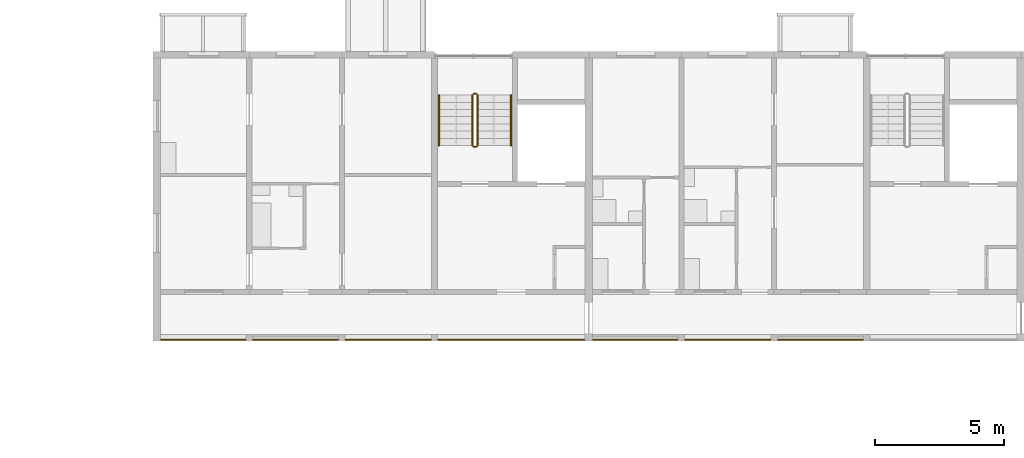
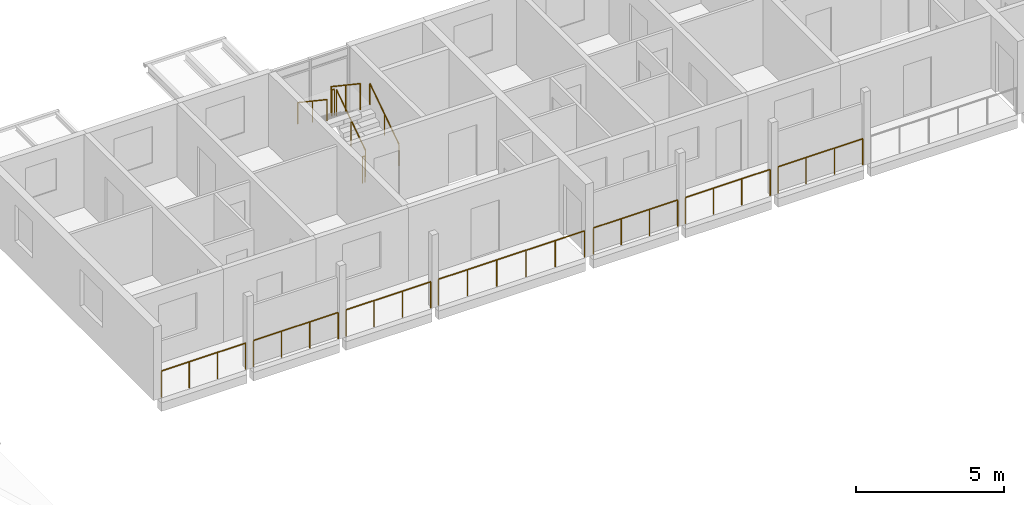
# One storey, part 90 of 99: 13 railings.
"""IFC4 building model written with IfcOpenShell, lengths in metres."""

import ifcopenshell
import ifcopenshell.guid

model = None  # the IFC model being written
_history = None  # IfcOwnerHistory: only IFC2X3 demands one
_inside = {}  # id of a spatial element -> (the spatial element, [elements in it])
_under = {}  # id of a project, library or spatial element -> (it, [spatial elements below it])
_declared = {}  # id of a project -> (the project, [libraries it declares])
_typed = {}  # id of a type object -> (the type object, [elements of that type])
_made_of = {}  # id of a material, layer set ... -> (it, [elements and type objects made of it])


def new_model(schema):
    """Start an empty IFC model of exactly this schema.

    Asked for "IFC4X3", IfcOpenShell would pick the latest addendum, in which some entities
    have other attributes; the version numbers below select the first issue.
    IFC2X3 requires an IfcOwnerHistory on every rooted entity: one is made here for all.
    """
    global model, _history
    if schema == "IFC4X3":
        model = ifcopenshell.file(schema_version=(4, 3, 0, 0))
    else:
        model = ifcopenshell.file(schema=schema)
    _inside.clear()
    _under.clear()
    _declared.clear()
    _typed.clear()
    _made_of.clear()
    _history = None
    if model.schema == "IFC2X3":
        org = make("IfcOrganization", Name="unknown")
        user = make(
            "IfcPersonAndOrganization",
            ThePerson=make("IfcPerson", FamilyName="unknown"),
            TheOrganization=org,
        )
        app = make(
            "IfcApplication",
            ApplicationDeveloper=org,
            Version="unknown",
            ApplicationFullName="unknown",
            ApplicationIdentifier="unknown",
        )
        _history = make(
            "IfcOwnerHistory",
            OwningUser=user,
            OwningApplication=app,
            ChangeAction="ADDED",
            CreationDate=0,
        )
    return model


def make(cls, **values):
    """One entity of the class cls with the attributes given. An attribute that is None is left unset."""
    return model.create_entity(
        cls, **{name: value for name, value in values.items() if value is not None}
    )


def rooted(cls, **values):
    """An entity with a GlobalId (a new one), such as an element, a storey or a relation."""
    return make(cls, GlobalId=ifcopenshell.guid.new(), OwnerHistory=_history, **values)


def si_unit(unit_type, name, prefix=None):
    """IfcSIUnit, for example si_unit("LENGTHUNIT", "METRE", prefix="MILLI")."""
    return make("IfcSIUnit", UnitType=unit_type, Prefix=prefix, Name=name)


def assignment(units):
    """IfcUnitAssignment: the units of a project."""
    return None if units is None else make("IfcUnitAssignment", Units=units)


def point(xyz):
    """IfcCartesianPoint."""
    return None if xyz is None else make("IfcCartesianPoint", Coordinates=xyz)


def direction(xyz):
    """IfcDirection."""
    return None if xyz is None else make("IfcDirection", DirectionRatios=xyz)


def frame(location, z_axis=None, x_axis=None):
    """IfcAxis2Placement3D, a coordinate frame: its origin and axes. An axis left out is left unset."""
    return make(
        "IfcAxis2Placement3D",
        Location=point(location),
        Axis=direction(z_axis),
        RefDirection=direction(x_axis),
    )


def frame_2d(location, x_axis=None):
    """IfcAxis2Placement2D, a coordinate frame in the plane: its origin and x axis."""
    return make(
        "IfcAxis2Placement2D", Location=point(location), RefDirection=direction(x_axis)
    )


def origin():
    """The frame at (0, 0, 0) with its axes left unset."""
    return frame((0.0, 0.0, 0.0))


def origin_2d():
    """The frame at (0, 0) in the plane with its x axis left unset."""
    return frame_2d((0.0, 0.0))


def place(relative_to, where):
    """IfcLocalPlacement: puts the frame where relative to a parent placement (None: the world)."""
    return make(
        "IfcLocalPlacement", PlacementRelTo=relative_to, RelativePlacement=where
    )


def context(
    kind, dimensions, precision=None, world=None, true_north=None, identifier=None
):
    """IfcGeometricRepresentationContext, for example the 3D "Model" context."""
    return make(
        "IfcGeometricRepresentationContext",
        ContextIdentifier=identifier,
        ContextType=kind,
        CoordinateSpaceDimension=dimensions,
        Precision=precision,
        WorldCoordinateSystem=world,
        TrueNorth=true_north,
    )


def subcontext(parent, identifier, kind, view, scale=None):
    """IfcGeometricRepresentationSubContext, for example "Body" below "Model"."""
    return make(
        "IfcGeometricRepresentationSubContext",
        ContextIdentifier=identifier,
        ContextType=kind,
        ParentContext=parent,
        TargetScale=scale,
        TargetView=view,
    )


def project(units=None, contexts=None):
    """IfcProject with its units and contexts."""
    return rooted(
        "IfcProject",
        Name="project",
        RepresentationContexts=contexts,
        UnitsInContext=assignment(units),
    )


def spatial(cls, under=None, at=None, **own):
    """A site, building, storey or space (cls), placed at a placement, below another one or the project."""
    s = rooted(cls, ObjectPlacement=at, **own)
    if under is not None:
        _under.setdefault(under.id(), (under, []))[1].append(s)
    return s


def profile(cls, at=None, kind="AREA", **sizes):
    """A parametric profile (cls). Its sizes go by their IFC names, for example OverallWidth=200.0."""
    return make(cls, ProfileType=kind, Position=at, **sizes)


def circle(**sizes):
    """IfcCircleProfileDef."""
    return profile("IfcCircleProfileDef", **sizes)


def extrude(swept, where, along, depth):
    """IfcExtrudedAreaSolid: the profile swept, set in the frame where, extruded along a direction by depth."""
    return make(
        "IfcExtrudedAreaSolid",
        SweptArea=swept,
        Position=where,
        ExtrudedDirection=direction(along),
        Depth=depth,
    )


def shape(context_of_items, identifier, shape_type, items):
    """IfcShapeRepresentation: the items that make up one representation, for example the "Body"."""
    return make(
        "IfcShapeRepresentation",
        ContextOfItems=context_of_items,
        RepresentationIdentifier=identifier,
        RepresentationType=shape_type,
        Items=items,
    )


def material(Name=None, Category=None):
    """IfcMaterial."""
    return make("IfcMaterial", Name=Name, Category=Category)


def made_of(thing, what):
    """Note that an element or type object is made of a material, layer set ...; save() writes the relation."""
    if what is not None:
        _made_of.setdefault(what.id(), (what, []))[1].append(thing)
    return thing


def type_object(cls, material=None, **own):
    """A type object (cls), such as IfcWallType, which elements share."""
    return made_of(rooted(cls, **own), material)


def element(
    cls,
    number,
    at=None,
    inside=None,
    cuts=None,
    type_object=None,
    material=None,
    context=None,
    identifier="Body",
    shape_type=None,
    held_by="IfcProductDefinitionShape",
    body=None,
    shapes=None,
    **own,
):
    """One element of the class cls, such as IfcWall. Its Tag is "e" and its number.

    at: its placement. inside: the storey or other place that contains it. cuts: it is an
    opening in that element (IfcRelVoidsElement). A single representation is given by context,
    identifier, shape_type and body (its items); several are given by shapes. held_by: the class
    of the entity that holds the representations. save() writes the other relations.
    """
    e = rooted(cls, Tag="e%d" % number, ObjectPlacement=at, **own)
    if body is not None:
        shapes = [shape(context, identifier, shape_type, body)]
    if shapes is not None:
        e.Representation = make(held_by, Representations=shapes)
    if inside is not None:
        _inside.setdefault(inside.id(), (inside, []))[1].append(e)
    if cuts is not None:
        rooted(
            "IfcRelVoidsElement", RelatingBuildingElement=cuts, RelatedOpeningElement=e
        )
    if type_object is not None:
        _typed.setdefault(type_object.id(), (type_object, []))[1].append(e)
    return made_of(e, material)


def aggregate(whole, parts):
    """IfcRelAggregates: a whole, such as a stair, and the parts it consists of."""
    return rooted("IfcRelAggregates", RelatingObject=whole, RelatedObjects=parts)


def save(model, path):
    """Write the relations noted so far, then the file.

    IfcRelAggregates (storeys below a building ...), IfcRelContainedInSpatialStructure (elements
    in a storey), IfcRelDefinesByType, IfcRelAssociatesMaterial and IfcRelDeclares: one each for
    every whole, place, type object, material and project.
    """
    for whole, parts in _under.values():
        aggregate(whole, parts)
    for where, things in _inside.values():
        rooted(
            "IfcRelContainedInSpatialStructure",
            RelatedElements=things,
            RelatingStructure=where,
        )
    for kind, things in _typed.values():
        rooted("IfcRelDefinesByType", RelatedObjects=things, RelatingType=kind)
    for what, things in _made_of.values():
        rooted("IfcRelAssociatesMaterial", RelatedObjects=things, RelatingMaterial=what)
    for by, libraries in _declared.values():
        rooted("IfcRelDeclares", RelatingContext=by, RelatedDefinitions=libraries)
    model.write(path)


model = new_model("IFC4")

# Units and contexts
model_context = context("Model", 3, precision=1e-05, world=origin(), true_north=direction((0.0, 1.0)))
body_context = subcontext(model_context, "Body", "Model", "MODEL_VIEW")
ifc_project = project(units=[si_unit("LENGTHUNIT", "METRE"), si_unit("AREAUNIT", "SQUARE_METRE"), si_unit("VOLUMEUNIT", "CUBIC_METRE"), si_unit("PLANEANGLEUNIT", "RADIAN"), si_unit("MASSUNIT", "GRAM", prefix="KILO")], contexts=[model_context])

# Site, building, storey
site_placement = place(None, origin())
site = spatial("IfcSite", under=ifc_project, at=site_placement, CompositionType="ELEMENT")
building_placement = place(site_placement, origin())
building = spatial("IfcBuilding", under=site, at=building_placement, Name="Ridgestep Commons", CompositionType="ELEMENT")
storey_placement = place(building_placement, frame((0.0, 0.0, 15.0)))
storey = spatial("IfcBuildingStorey", under=building, at=storey_placement, Name="L05", CompositionType="ELEMENT", Elevation=15.0)

# Railings
ifc_material_1 = material(Name="Structural steel S355JR", Category="steel")
railing_type_1 = type_object("IfcRailingType", Name="Guard 1100", PredefinedType="GUARDRAIL", material=ifc_material_1)
railing_1_placement = place(storey_placement, frame((146.970947265625, 66.050048828125, 0.0)))
element("IfcRailing", 1, at=railing_1_placement, inside=storey, type_object=railing_type_1, Name="Gallery guard C 05.1", PredefinedType="GUARDRAIL", context=body_context, shape_type="SweptSolid", body=[
    extrude(circle(Radius=0.02392578125, at=origin_2d()), frame((0.0, 0.0, 1.076171875), z_axis=(1.0, 0.0, 0.0), x_axis=(0.0, 1.0, 0.0)), (0.0, 0.0, 1.0), 3.282958984375),
    extrude(circle(Radius=0.02099609375, at=origin_2d()), origin(), (0.0, 0.0, 1.0), 1.052001953125),
    extrude(circle(Radius=0.02099609375, at=origin_2d()), frame((1.09423828125, 0.0, 0.0)), (0.0, 0.0, 1.0), 1.052001953125),
    extrude(circle(Radius=0.02099609375, at=origin_2d()), frame((2.188720703125, 0.0, 0.0)), (0.0, 0.0, 1.0), 1.052001953125),
    extrude(circle(Radius=0.02099609375, at=origin_2d()), frame((3.282958984375, 0.0, 0.0)), (0.0, 0.0, 1.0), 1.052001953125),
])
for number, where, name in (
    (2, (150.5458984375, 66.050048828125, 0.0), "Gallery guard C 05.2"),
    (3, (154.14599609375, 66.050048828125, 0.0), "Gallery guard C 05.3"),
):
    element("IfcRailing", number, at=place(storey_placement, frame(where)), inside=storey, type_object=railing_type_1, Name=name, PredefinedType="GUARDRAIL", context=body_context, shape_type="SweptSolid", body=[
        extrude(circle(Radius=0.02392578125, at=origin_2d()), frame((0.0, 0.0, 1.076171875), z_axis=(1.0, 0.0, 0.0), x_axis=(0.0, 1.0, 0.0)), (0.0, 0.0, 1.0), 3.30810546875),
        extrude(circle(Radius=0.02099609375, at=origin_2d()), origin(), (0.0, 0.0, 1.0), 1.052001953125),
        extrude(circle(Radius=0.02099609375, at=origin_2d()), frame((1.102783203125, 0.0, 0.0)), (0.0, 0.0, 1.0), 1.052001953125),
        extrude(circle(Radius=0.02099609375, at=origin_2d()), frame((2.205322265625, 0.0, 0.0)), (0.0, 0.0, 1.0), 1.052001953125),
        extrude(circle(Radius=0.02099609375, at=origin_2d()), frame((3.30810546875, 0.0, 0.0)), (0.0, 0.0, 1.0), 1.052001953125),
    ])
railing_2_placement = place(storey_placement, frame((157.74609375, 66.050048828125, 0.0)))
element("IfcRailing", 4, at=railing_2_placement, inside=storey, type_object=railing_type_1, Name="Gallery guard C 05.4", PredefinedType="GUARDRAIL", context=body_context, shape_type="SweptSolid", body=[
    extrude(circle(Radius=0.02392578125, at=origin_2d()), frame((0.0, 0.0, 1.076171875), z_axis=(1.0, 0.0, 0.0), x_axis=(0.0, 1.0, 0.0)), (0.0, 0.0, 1.0), 5.682861328125),
    extrude(circle(Radius=0.02099609375, at=origin_2d()), origin(), (0.0, 0.0, 1.0), 1.052001953125),
    extrude(circle(Radius=0.02099609375, at=origin_2d()), frame((1.136474609375, 0.0, 0.0)), (0.0, 0.0, 1.0), 1.052001953125),
    extrude(circle(Radius=0.02099609375, at=origin_2d()), frame((2.273193359375, 0.0, 0.0)), (0.0, 0.0, 1.0), 1.052001953125),
    extrude(circle(Radius=0.02099609375, at=origin_2d()), frame((3.40966796875, 0.0, 0.0)), (0.0, 0.0, 1.0), 1.052001953125),
    extrude(circle(Radius=0.02099609375, at=origin_2d()), frame((4.54638671875, 0.0, 0.0)), (0.0, 0.0, 1.0), 1.052001953125),
    extrude(circle(Radius=0.02099609375, at=origin_2d()), frame((5.682861328125, 0.0, 0.0)), (0.0, 0.0, 1.0), 1.052001953125),
])
railing_3_placement = place(storey_placement, frame((163.77099609375, 66.050048828125, 0.0)))
element("IfcRailing", 5, at=railing_3_placement, inside=storey, type_object=railing_type_1, Name="Gallery guard C 05.5", PredefinedType="GUARDRAIL", context=body_context, shape_type="SweptSolid", body=[
    extrude(circle(Radius=0.02392578125, at=origin_2d()), frame((0.0, 0.0, 1.076171875), z_axis=(1.0, 0.0, 0.0), x_axis=(0.0, 1.0, 0.0)), (0.0, 0.0, 1.0), 3.282958984375),
    extrude(circle(Radius=0.02099609375, at=origin_2d()), origin(), (0.0, 0.0, 1.0), 1.052001953125),
    extrude(circle(Radius=0.02099609375, at=origin_2d()), frame((1.09423828125, 0.0, 0.0)), (0.0, 0.0, 1.0), 1.052001953125),
    extrude(circle(Radius=0.02099609375, at=origin_2d()), frame((2.188720703125, 0.0, 0.0)), (0.0, 0.0, 1.0), 1.052001953125),
    extrude(circle(Radius=0.02099609375, at=origin_2d()), frame((3.282958984375, 0.0, 0.0)), (0.0, 0.0, 1.0), 1.052001953125),
])
railing_4_placement = place(storey_placement, frame((167.345947265625, 66.050048828125, 0.0)))
element("IfcRailing", 6, at=railing_4_placement, inside=storey, type_object=railing_type_1, Name="Gallery guard C 05.6", PredefinedType="GUARDRAIL", context=body_context, shape_type="SweptSolid", body=[
    extrude(circle(Radius=0.02392578125, at=origin_2d()), frame((0.0, 0.0, 1.076171875), z_axis=(1.0, 0.0, 0.0), x_axis=(0.0, 1.0, 0.0)), (0.0, 0.0, 1.0), 3.30810546875),
    extrude(circle(Radius=0.02099609375, at=origin_2d()), origin(), (0.0, 0.0, 1.0), 1.052001953125),
    extrude(circle(Radius=0.02099609375, at=origin_2d()), frame((1.102783203125, 0.0, 0.0)), (0.0, 0.0, 1.0), 1.052001953125),
    extrude(circle(Radius=0.02099609375, at=origin_2d()), frame((2.205322265625, 0.0, 0.0)), (0.0, 0.0, 1.0), 1.052001953125),
    extrude(circle(Radius=0.02099609375, at=origin_2d()), frame((3.30810546875, 0.0, 0.0)), (0.0, 0.0, 1.0), 1.052001953125),
])
railing_5_placement = place(storey_placement, frame((170.946044921875, 66.050048828125, 0.0)))
element("IfcRailing", 7, at=railing_5_placement, inside=storey, type_object=railing_type_1, Name="Gallery guard C 05.7", PredefinedType="GUARDRAIL", context=body_context, shape_type="SweptSolid", body=[
    extrude(circle(Radius=0.02392578125, at=origin_2d()), frame((0.0, 0.0, 1.076171875), z_axis=(1.0, 0.0, 0.0), x_axis=(0.0, 1.0, 0.0)), (0.0, 0.0, 1.0), 3.307861328125),
    extrude(circle(Radius=0.02099609375, at=origin_2d()), origin(), (0.0, 0.0, 1.0), 1.052001953125),
    extrude(circle(Radius=0.02099609375, at=origin_2d()), frame((1.1025390625, 0.0, 0.0)), (0.0, 0.0, 1.0), 1.052001953125),
    extrude(circle(Radius=0.02099609375, at=origin_2d()), frame((2.205322265625, 0.0, 0.0)), (0.0, 0.0, 1.0), 1.052001953125),
    extrude(circle(Radius=0.02099609375, at=origin_2d()), frame((3.307861328125, 0.0, 0.0)), (0.0, 0.0, 1.0), 1.052001953125),
])
ifc_material_2 = material(Name="Structural steel S355JR", Category="steel")
railing_type_2 = type_object("IfcRailingType", Name="Stair guard 1100", PredefinedType="GUARDRAIL", material=ifc_material_2)
railing_6_placement = place(storey_placement, frame((159.27490234375, 73.60009765625, 0.1875)))
element("IfcRailing", 8, at=railing_6_placement, inside=storey, type_object=railing_type_2, Name="L05 C1C stair guard 1", PredefinedType="GUARDRAIL", context=body_context, shape_type="SweptSolid", body=[
    extrude(circle(Radius=0.02392578125, at=origin_2d()), frame((0.0, 0.0, 1.076171875), z_axis=(0.0, 0.830902050051, 0.556418712142), x_axis=(-1.0, 0.0, 0.0)), (0.0, 0.0, 1.0), 2.35888671875),
    extrude(circle(Radius=0.02099609375, at=origin_2d()), origin(), (0.0, 0.0, 1.0), 1.052001953125),
    extrude(circle(Radius=0.02099609375, at=origin_2d()), frame((0.0, 0.97998046875, 0.65625)), (0.0, 0.0, 1.0), 1.052001953125),
    extrude(circle(Radius=0.02099609375, at=origin_2d()), frame((0.0, 1.9599609375, 1.3125)), (0.0, 0.0, 1.0), 1.052001953125),
])
railing_7_placement = place(storey_placement, frame((159.22509765625, 75.610107421875, 1.5)))
element("IfcRailing", 9, at=railing_7_placement, inside=storey, type_object=railing_type_2, Name="L05 C1C stair guard 2", PredefinedType="GUARDRAIL", context=body_context, shape_type="SweptSolid", body=[
    extrude(circle(Radius=0.02392578125, at=origin_2d()), frame((0.0, 0.0, 1.076171875), z_axis=(-1.0, 0.0, 0.0), x_axis=(0.0, -1.0, 0.0)), (0.0, 0.0, 1.0), 0.10009765625),
    extrude(circle(Radius=0.02099609375, at=origin_2d()), origin(), (0.0, 0.0, 1.0), 1.052001953125),
    extrude(circle(Radius=0.02099609375, at=origin_2d()), frame((-0.10009765625, 0.0, 0.0)), (0.0, 0.0, 1.0), 1.052001953125),
])
railing_8_placement = place(storey_placement, frame((159.074951171875, 75.56005859375, 1.6875)))
element("IfcRailing", 10, at=railing_8_placement, inside=storey, type_object=railing_type_2, Name="L05 C1C stair guard 3", PredefinedType="GUARDRAIL", context=body_context, shape_type="SweptSolid", body=[
    extrude(circle(Radius=0.02392578125, at=origin_2d()), frame((0.0, 0.0, 1.076171875), z_axis=(0.0, -0.830902050051, 0.556418712142), x_axis=(1.0, 0.0, 0.0)), (0.0, 0.0, 1.0), 2.35888671875),
    extrude(circle(Radius=0.02099609375, at=origin_2d()), origin(), (0.0, 0.0, 1.0), 1.052001953125),
    extrude(circle(Radius=0.02099609375, at=origin_2d()), frame((0.0, -0.97998046875, 0.65625)), (0.0, 0.0, 1.0), 1.052001953125),
    extrude(circle(Radius=0.02099609375, at=origin_2d()), frame((0.0, -1.9599609375, 1.3125)), (0.0, 0.0, 1.0), 1.052001953125),
])
railing_9_placement = place(storey_placement, frame((159.22509765625, 73.550048828125, 0.0)))
element("IfcRailing", 11, at=railing_9_placement, inside=storey, type_object=railing_type_2, Name="L05 C1C stair guard 4", PredefinedType="GUARDRAIL", context=body_context, shape_type="SweptSolid", body=[
    extrude(circle(Radius=0.02392578125, at=origin_2d()), frame((0.0, 0.0, 1.076171875), z_axis=(-1.0, 0.0, 0.0), x_axis=(0.0, -1.0, 0.0)), (0.0, 0.0, 1.0), 0.10009765625),
    extrude(circle(Radius=0.02099609375, at=origin_2d()), origin(), (0.0, 0.0, 1.0), 1.052001953125),
    extrude(circle(Radius=0.02099609375, at=origin_2d()), frame((-0.10009765625, 0.0, 0.0)), (0.0, 0.0, 1.0), 1.052001953125),
])
ifc_material_3 = material(Name="Structural steel S355JR", Category="steel")
railing_type_3 = type_object("IfcRailingType", Name="Stair handrail 900", PredefinedType="HANDRAIL", material=ifc_material_3)
railing_10_placement = place(storey_placement, frame((160.574951171875, 73.60009765625, 0.1875)))
element("IfcRailing", 12, at=railing_10_placement, inside=storey, type_object=railing_type_3, Name="L05 C1C stair handrail 1", PredefinedType="HANDRAIL", context=body_context, shape_type="SweptSolid", body=[
    extrude(circle(Radius=0.02392578125, at=origin_2d()), frame((0.0, 0.0, 0.8759765625), z_axis=(0.0, 0.830902050051, 0.556418712142), x_axis=(-1.0, 0.0, 0.0)), (0.0, 0.0, 1.0), 2.35888671875),
    extrude(circle(Radius=0.02099609375, at=origin_2d()), origin(), (0.0, 0.0, 1.0), 0.851806640625),
    extrude(circle(Radius=0.02099609375, at=origin_2d()), frame((0.0, 0.97998046875, 0.65625)), (0.0, 0.0, 1.0), 0.851806640625),
    extrude(circle(Radius=0.02099609375, at=origin_2d()), frame((0.0, 1.9599609375, 1.3125)), (0.0, 0.0, 1.0), 0.851806640625),
])
railing_11_placement = place(storey_placement, frame((157.77490234375, 75.56005859375, 1.6875)))
element("IfcRailing", 13, at=railing_11_placement, inside=storey, type_object=railing_type_3, Name="L05 C1C stair handrail 2", PredefinedType="HANDRAIL", context=body_context, shape_type="SweptSolid", body=[
    extrude(circle(Radius=0.02392578125, at=origin_2d()), frame((0.0, 0.0, 0.8759765625), z_axis=(0.0, -0.830902050051, 0.556418712142), x_axis=(1.0, 0.0, 0.0)), (0.0, 0.0, 1.0), 2.35888671875),
    extrude(circle(Radius=0.02099609375, at=origin_2d()), origin(), (0.0, 0.0, 1.0), 0.851806640625),
    extrude(circle(Radius=0.02099609375, at=origin_2d()), frame((0.0, -0.97998046875, 0.65625)), (0.0, 0.0, 1.0), 0.851806640625),
    extrude(circle(Radius=0.02099609375, at=origin_2d()), frame((0.0, -1.9599609375, 1.3125)), (0.0, 0.0, 1.0), 0.851806640625),
])

save(model, "model.ifc")
